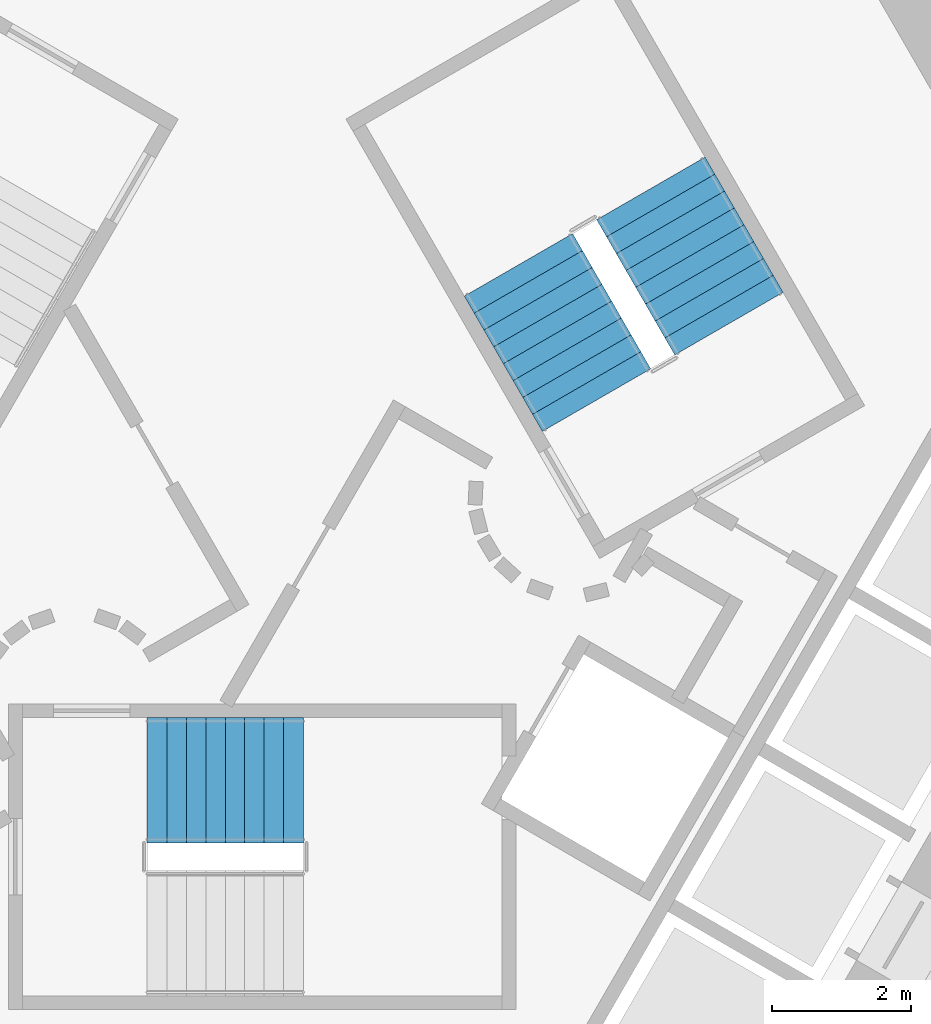
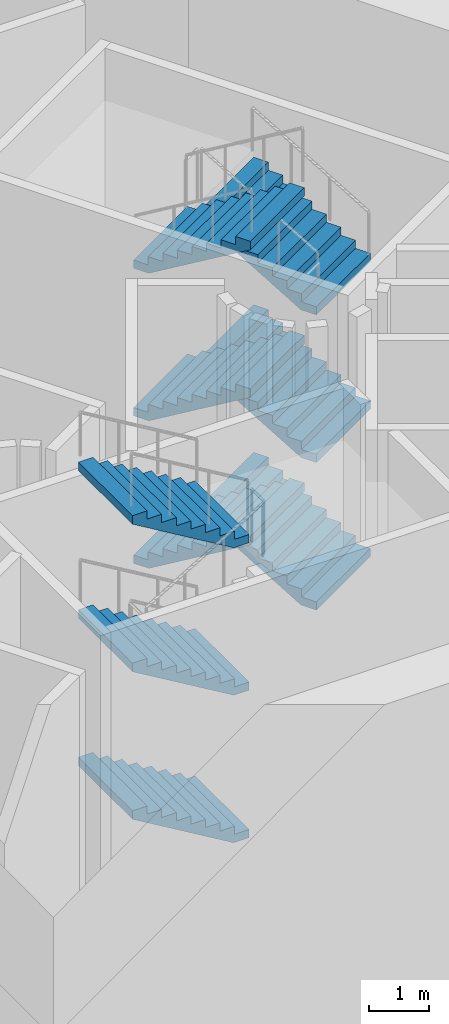
# One storey, part 23 of 36: 9 stair flights, 2 elements without a shape of their own.
"""IFC4 building model written with IfcOpenShell, lengths in metres."""

from ifc_helpers import new_model, si_unit, direction, frame, origin, place, context, subcontext, project, spatial, triangles, material, type_object, element, aggregate, save


model = new_model("IFC4")

# Units and contexts
model_context = context("Model", 3, precision=1e-05, world=origin(), true_north=direction((0.0, 1.0)))
body_context = subcontext(model_context, "Body", "Model", "MODEL_VIEW")
ifc_project = project(units=[si_unit("LENGTHUNIT", "METRE"), si_unit("AREAUNIT", "SQUARE_METRE"), si_unit("VOLUMEUNIT", "CUBIC_METRE"), si_unit("PLANEANGLEUNIT", "RADIAN"), si_unit("MASSUNIT", "GRAM", prefix="KILO")], contexts=[model_context])

# Site, building, storey
site_placement = place(None, origin())
site = spatial("IfcSite", under=ifc_project, at=site_placement, CompositionType="ELEMENT")
building_placement = place(site_placement, origin())
building = spatial("IfcBuilding", under=site, at=building_placement, Name="Entoto Arch Interchange Tower", CompositionType="ELEMENT")
storey_placement = place(building_placement, origin())
storey = spatial("IfcBuildingStorey", under=building, at=storey_placement, Name="L00", CompositionType="ELEMENT", Elevation=0.0)

# Stair, stair flights
ifc_material = material(Name="Concrete C40/50", Category="concrete")
stair_type = type_object("IfcStairType", Name="EXIT STAIR RC 1800", PredefinedType="HALF_TURN_STAIR", material=ifc_material)
stair_1_placement = place(storey_placement, origin())
stair_1 = element("IfcStair", 1, at=stair_1_placement, inside=storey, type_object=stair_type, Name="L00 Exit stair S", PredefinedType="HALF_TURN_STAIR")
stair_flight_type = type_object("IfcStairFlightType", Name="EXIT STAIR FLIGHT RC 1800", PredefinedType="STRAIGHT", material=ifc_material)
stair_flight_1_placement = place(storey_placement, frame((0.590087890625, -2.10009765625, 1.5), z_axis=(0.0, 0.0, 1.0), x_axis=(-1.0, 0.0, 0.0)))
stair_flight_1 = element("IfcStairFlight", 2, at=stair_flight_1_placement, type_object=stair_flight_type, Name="ST-S flight 2", NumberOfRisers=9, NumberOfTreads=8, PredefinedType="STRAIGHT", RiserHeight=0.166666667, TreadLength=0.28, context=body_context, shape_type="Tessellation", body=[
    triangles([(-0.003, -0.900024, 0.0), (-0.003, -0.900024, 0.166667), (0.28, -0.900024, 0.166667), (0.28, -0.900024, 0.333333), (0.56, -0.900024, 0.333333), (0.56, -0.900024, 0.5), (0.84, -0.900024, 0.5), (0.84, -0.900024, 0.666667), (1.12, -0.900024, 0.666667), (1.12, -0.900024, 0.833333), (1.4, -0.900024, 0.833333), (1.4, -0.900024, 1.0), (1.68, -0.900024, 1.0), (1.68, -0.900024, 1.166667), (1.96, -0.900024, 1.166667), (1.96, -0.900024, 1.333333), (2.24, -0.900024, 1.333333), (2.243, -0.900024, 1.333333), (2.243, -0.900024, 1.160671), (0.293073, -0.900024, 0.0), (-0.003, 0.900024, 0.0), (-0.003, 0.900024, 0.166667), (0.28, 0.900024, 0.166667), (0.28, 0.900024, 0.333333), (0.56, 0.900024, 0.333333), (0.56, 0.900024, 0.5), (0.84, 0.900024, 0.5), (0.84, 0.900024, 0.666667), (1.12, 0.900024, 0.666667), (1.12, 0.900024, 0.833333), (1.4, 0.900024, 0.833333), (1.4, 0.900024, 1.0), (1.68, 0.900024, 1.0), (1.68, 0.900024, 1.166667), (1.96, 0.900024, 1.166667), (1.96, 0.900024, 1.333333), (2.24, 0.900024, 1.333333), (2.243, 0.900024, 1.333333), (2.243, 0.900024, 1.160671), (0.293073, 0.900024, 0.0), (-0.003, 0.0, 0.0), (-0.003, 0.0, 0.166667), (0.28, 0.0, 0.166667), (0.28, 0.0, 0.333333), (0.56, 0.0, 0.333333), (0.56, 0.0, 0.5), (0.84, 0.0, 0.5), (0.84, 0.0, 0.666667), (1.12, 0.0, 0.666667), (1.12, 0.0, 0.833333), (1.4, 0.0, 0.833333), (1.4, 0.0, 1.0), (1.68, 0.0, 1.0), (1.68, 0.0, 1.166667), (1.96, 0.0, 1.166667), (1.96, 0.0, 1.333333), (2.24, 0.0, 1.333333), (2.243, 0.0, 1.333333), (2.243, 0.0, 1.160671), (0.293073, 0.0, 0.0)], [[1, 20, 19], [19, 18, 17], [19, 17, 16], [19, 16, 15], [19, 15, 14], [19, 14, 13], [13, 12, 11], [19, 13, 11], [11, 10, 9], [19, 11, 9], [9, 8, 7], [19, 9, 7], [7, 6, 5], [19, 7, 5], [5, 4, 3], [19, 5, 3], [1, 19, 3], [3, 2, 1], [21, 39, 40], [39, 37, 38], [39, 36, 37], [39, 35, 36], [39, 34, 35], [39, 33, 34], [33, 31, 32], [39, 31, 33], [31, 29, 30], [39, 29, 31], [29, 27, 28], [39, 27, 29], [27, 25, 26], [39, 25, 27], [25, 23, 24], [39, 23, 25], [21, 23, 39], [23, 21, 22], [1, 2, 42], [1, 42, 41], [41, 42, 22], [41, 22, 21], [2, 3, 43], [2, 43, 42], [42, 43, 23], [42, 23, 22], [3, 4, 44], [3, 44, 43], [43, 44, 24], [43, 24, 23], [4, 5, 45], [4, 45, 44], [44, 45, 25], [44, 25, 24], [5, 6, 46], [5, 46, 45], [45, 46, 26], [45, 26, 25], [6, 7, 47], [6, 47, 46], [46, 47, 27], [46, 27, 26], [7, 8, 48], [7, 48, 47], [47, 48, 28], [47, 28, 27], [8, 9, 49], [8, 49, 48], [48, 49, 29], [48, 29, 28], [9, 10, 50], [9, 50, 49], [49, 50, 30], [49, 30, 29], [10, 11, 51], [10, 51, 50], [50, 51, 31], [50, 31, 30], [11, 12, 52], [11, 52, 51], [51, 52, 32], [51, 32, 31], [12, 13, 53], [12, 53, 52], [52, 53, 33], [52, 33, 32], [13, 14, 54], [13, 54, 53], [53, 54, 34], [53, 34, 33], [14, 15, 55], [14, 55, 54], [54, 55, 35], [54, 35, 34], [15, 16, 56], [15, 56, 55], [55, 56, 36], [55, 36, 35], [16, 17, 57], [16, 57, 56], [56, 57, 37], [56, 37, 36], [17, 18, 58], [17, 58, 57], [57, 58, 38], [57, 38, 37], [18, 19, 59], [18, 59, 58], [58, 59, 39], [58, 39, 38], [19, 20, 60], [19, 60, 59], [59, 60, 40], [59, 40, 39], [20, 1, 41], [20, 41, 60], [60, 41, 21], [60, 21, 40]], closed=True),
])
stair_flight_2_placement = place(storey_placement, frame((0.590087890625, -2.10009765625, 4.5), z_axis=(0.0, 0.0, 1.0), x_axis=(-1.0, 0.0, 0.0)))
stair_flight_2 = element("IfcStairFlight", 3, at=stair_flight_2_placement, type_object=stair_flight_type, Name="ST-S flight 4", NumberOfRisers=9, NumberOfTreads=8, PredefinedType="STRAIGHT", RiserHeight=0.166666667, TreadLength=0.28, context=body_context, shape_type="Tessellation", body=[
    triangles([(-0.003, -0.900024, 0.0), (-0.003, -0.900024, 0.166667), (0.28, -0.900024, 0.166667), (0.28, -0.900024, 0.333333), (0.56, -0.900024, 0.333333), (0.56, -0.900024, 0.5), (0.84, -0.900024, 0.5), (0.84, -0.900024, 0.666667), (1.12, -0.900024, 0.666667), (1.12, -0.900024, 0.833333), (1.4, -0.900024, 0.833333), (1.4, -0.900024, 1.0), (1.68, -0.900024, 1.0), (1.68, -0.900024, 1.166667), (1.96, -0.900024, 1.166667), (1.96, -0.900024, 1.333333), (2.24, -0.900024, 1.333333), (2.243, -0.900024, 1.333333), (2.243, -0.900024, 1.160671), (0.293073, -0.900024, 0.0), (-0.003, 0.900024, 0.0), (-0.003, 0.900024, 0.166667), (0.28, 0.900024, 0.166667), (0.28, 0.900024, 0.333333), (0.56, 0.900024, 0.333333), (0.56, 0.900024, 0.5), (0.84, 0.900024, 0.5), (0.84, 0.900024, 0.666667), (1.12, 0.900024, 0.666667), (1.12, 0.900024, 0.833333), (1.4, 0.900024, 0.833333), (1.4, 0.900024, 1.0), (1.68, 0.900024, 1.0), (1.68, 0.900024, 1.166667), (1.96, 0.900024, 1.166667), (1.96, 0.900024, 1.333333), (2.24, 0.900024, 1.333333), (2.243, 0.900024, 1.333333), (2.243, 0.900024, 1.160671), (0.293073, 0.900024, 0.0), (-0.003, 0.0, 0.0), (-0.003, 0.0, 0.166667), (0.28, 0.0, 0.166667), (0.28, 0.0, 0.333333), (0.56, 0.0, 0.333333), (0.56, 0.0, 0.5), (0.84, 0.0, 0.5), (0.84, 0.0, 0.666667), (1.12, 0.0, 0.666667), (1.12, 0.0, 0.833333), (1.4, 0.0, 0.833333), (1.4, 0.0, 1.0), (1.68, 0.0, 1.0), (1.68, 0.0, 1.166667), (1.96, 0.0, 1.166667), (1.96, 0.0, 1.333333), (2.24, 0.0, 1.333333), (2.243, 0.0, 1.333333), (2.243, 0.0, 1.160671), (0.293073, 0.0, 0.0)], [[1, 20, 19], [19, 18, 17], [19, 17, 16], [19, 16, 15], [19, 15, 14], [19, 14, 13], [13, 12, 11], [19, 13, 11], [11, 10, 9], [19, 11, 9], [9, 8, 7], [19, 9, 7], [7, 6, 5], [19, 7, 5], [5, 4, 3], [19, 5, 3], [1, 19, 3], [3, 2, 1], [21, 39, 40], [39, 37, 38], [39, 36, 37], [39, 35, 36], [39, 34, 35], [39, 33, 34], [33, 31, 32], [39, 31, 33], [31, 29, 30], [39, 29, 31], [29, 27, 28], [39, 27, 29], [27, 25, 26], [39, 25, 27], [25, 23, 24], [39, 23, 25], [21, 23, 39], [23, 21, 22], [1, 2, 42], [1, 42, 41], [41, 42, 22], [41, 22, 21], [2, 3, 43], [2, 43, 42], [42, 43, 23], [42, 23, 22], [3, 4, 44], [3, 44, 43], [43, 44, 24], [43, 24, 23], [4, 5, 45], [4, 45, 44], [44, 45, 25], [44, 25, 24], [5, 6, 46], [5, 46, 45], [45, 46, 26], [45, 26, 25], [6, 7, 47], [6, 47, 46], [46, 47, 27], [46, 27, 26], [7, 8, 48], [7, 48, 47], [47, 48, 28], [47, 28, 27], [8, 9, 49], [8, 49, 48], [48, 49, 29], [48, 29, 28], [9, 10, 50], [9, 50, 49], [49, 50, 30], [49, 30, 29], [10, 11, 51], [10, 51, 50], [50, 51, 31], [50, 31, 30], [11, 12, 52], [11, 52, 51], [51, 52, 32], [51, 32, 31], [12, 13, 53], [12, 53, 52], [52, 53, 33], [52, 33, 32], [13, 14, 54], [13, 54, 53], [53, 54, 34], [53, 34, 33], [14, 15, 55], [14, 55, 54], [54, 55, 35], [54, 35, 34], [15, 16, 56], [15, 56, 55], [55, 56, 36], [55, 36, 35], [16, 17, 57], [16, 57, 56], [56, 57, 37], [56, 37, 36], [17, 18, 58], [17, 58, 57], [57, 58, 38], [57, 38, 37], [18, 19, 59], [18, 59, 58], [58, 59, 39], [58, 39, 38], [19, 20, 60], [19, 60, 59], [59, 60, 40], [59, 40, 39], [20, 1, 41], [20, 41, 60], [60, 41, 21], [60, 21, 40]], closed=True),
])
stair_flight_3_placement = place(storey_placement, frame((0.590087890625, -2.10009765625, 7.5), z_axis=(0.0, 0.0, 1.0), x_axis=(-1.0, 0.0, 0.0)))
stair_flight_3 = element("IfcStairFlight", 4, at=stair_flight_3_placement, type_object=stair_flight_type, Name="ST-S flight 6", NumberOfRisers=9, NumberOfTreads=8, PredefinedType="STRAIGHT", RiserHeight=0.166666667, TreadLength=0.28, context=body_context, shape_type="Tessellation", body=[
    triangles([(-0.003, -0.900024, 0.0), (-0.003, -0.900024, 0.166667), (0.28, -0.900024, 0.166667), (0.28, -0.900024, 0.333333), (0.56, -0.900024, 0.333333), (0.56, -0.900024, 0.5), (0.84, -0.900024, 0.5), (0.84, -0.900024, 0.666667), (1.12, -0.900024, 0.666667), (1.12, -0.900024, 0.833333), (1.4, -0.900024, 0.833333), (1.4, -0.900024, 1.0), (1.68, -0.900024, 1.0), (1.68, -0.900024, 1.166667), (1.96, -0.900024, 1.166667), (1.96, -0.900024, 1.333333), (2.24, -0.900024, 1.333333), (2.243, -0.900024, 1.333333), (2.243, -0.900024, 1.160671), (0.293073, -0.900024, 0.0), (-0.003, 0.900024, 0.0), (-0.003, 0.900024, 0.166667), (0.28, 0.900024, 0.166667), (0.28, 0.900024, 0.333333), (0.56, 0.900024, 0.333333), (0.56, 0.900024, 0.5), (0.84, 0.900024, 0.5), (0.84, 0.900024, 0.666667), (1.12, 0.900024, 0.666667), (1.12, 0.900024, 0.833333), (1.4, 0.900024, 0.833333), (1.4, 0.900024, 1.0), (1.68, 0.900024, 1.0), (1.68, 0.900024, 1.166667), (1.96, 0.900024, 1.166667), (1.96, 0.900024, 1.333333), (2.24, 0.900024, 1.333333), (2.243, 0.900024, 1.333333), (2.243, 0.900024, 1.160671), (0.293073, 0.900024, 0.0), (-0.003, 0.0, 0.0), (-0.003, 0.0, 0.166667), (0.28, 0.0, 0.166667), (0.28, 0.0, 0.333333), (0.56, 0.0, 0.333333), (0.56, 0.0, 0.5), (0.84, 0.0, 0.5), (0.84, 0.0, 0.666667), (1.12, 0.0, 0.666667), (1.12, 0.0, 0.833333), (1.4, 0.0, 0.833333), (1.4, 0.0, 1.0), (1.68, 0.0, 1.0), (1.68, 0.0, 1.166667), (1.96, 0.0, 1.166667), (1.96, 0.0, 1.333333), (2.24, 0.0, 1.333333), (2.243, 0.0, 1.333333), (2.243, 0.0, 1.160671), (0.293073, 0.0, 0.0)], [[1, 20, 19], [19, 18, 17], [19, 17, 16], [19, 16, 15], [19, 15, 14], [19, 14, 13], [13, 12, 11], [19, 13, 11], [11, 10, 9], [19, 11, 9], [9, 8, 7], [19, 9, 7], [7, 6, 5], [19, 7, 5], [5, 4, 3], [19, 5, 3], [1, 19, 3], [3, 2, 1], [21, 39, 40], [39, 37, 38], [39, 36, 37], [39, 35, 36], [39, 34, 35], [39, 33, 34], [33, 31, 32], [39, 31, 33], [31, 29, 30], [39, 29, 31], [29, 27, 28], [39, 27, 29], [27, 25, 26], [39, 25, 27], [25, 23, 24], [39, 23, 25], [21, 23, 39], [23, 21, 22], [1, 2, 42], [1, 42, 41], [41, 42, 22], [41, 22, 21], [2, 3, 43], [2, 43, 42], [42, 43, 23], [42, 23, 22], [3, 4, 44], [3, 44, 43], [43, 44, 24], [43, 24, 23], [4, 5, 45], [4, 45, 44], [44, 45, 25], [44, 25, 24], [5, 6, 46], [5, 46, 45], [45, 46, 26], [45, 26, 25], [6, 7, 47], [6, 47, 46], [46, 47, 27], [46, 27, 26], [7, 8, 48], [7, 48, 47], [47, 48, 28], [47, 28, 27], [8, 9, 49], [8, 49, 48], [48, 49, 29], [48, 29, 28], [9, 10, 50], [9, 50, 49], [49, 50, 30], [49, 30, 29], [10, 11, 51], [10, 51, 50], [50, 51, 31], [50, 31, 30], [11, 12, 52], [11, 52, 51], [51, 52, 32], [51, 32, 31], [12, 13, 53], [12, 53, 52], [52, 53, 33], [52, 33, 32], [13, 14, 54], [13, 54, 53], [53, 54, 34], [53, 34, 33], [14, 15, 55], [14, 55, 54], [54, 55, 35], [54, 35, 34], [15, 16, 56], [15, 56, 55], [55, 56, 36], [55, 36, 35], [16, 17, 57], [16, 57, 56], [56, 57, 37], [56, 37, 36], [17, 18, 58], [17, 58, 57], [57, 58, 38], [57, 38, 37], [18, 19, 59], [18, 59, 58], [58, 59, 39], [58, 39, 38], [19, 20, 60], [19, 60, 59], [59, 60, 40], [59, 40, 39], [20, 1, 41], [20, 41, 60], [60, 41, 21], [60, 21, 40]], closed=True),
])
aggregate(stair_1, [stair_flight_1, stair_flight_2, stair_flight_3])

stair_2_placement = place(storey_placement, origin())
stair_2 = element("IfcStair", 5, at=stair_2_placement, inside=storey, type_object=stair_type, Name="L00 Exit stair NE", PredefinedType="HALF_TURN_STAIR")
stair_flight_4_placement = place(storey_placement, frame((6.7138671875, 4.470947265625, 0.0), z_axis=(0.0, 0.0, 1.0), x_axis=(-0.5, 0.866025403784, 0.0)))
stair_flight_4 = element("IfcStairFlight", 6, at=stair_flight_4_placement, type_object=stair_flight_type, Name="ST-NE flight 1", NumberOfRisers=9, NumberOfTreads=8, PredefinedType="STRAIGHT", RiserHeight=0.166666667, TreadLength=0.28, context=body_context, shape_type="Tessellation", body=[
    triangles([(-0.003, -0.900024, 0.0), (-0.003, -0.900024, 0.166667), (0.28, -0.900024, 0.166667), (0.28, -0.900024, 0.333333), (0.56, -0.900024, 0.333333), (0.56, -0.900024, 0.5), (0.84, -0.900024, 0.5), (0.84, -0.900024, 0.666667), (1.12, -0.900024, 0.666667), (1.12, -0.900024, 0.833333), (1.4, -0.900024, 0.833333), (1.4, -0.900024, 1.0), (1.68, -0.900024, 1.0), (1.68, -0.900024, 1.166667), (1.96, -0.900024, 1.166667), (1.96, -0.900024, 1.333333), (2.24, -0.900024, 1.333333), (2.243, -0.900024, 1.333333), (2.243, -0.900024, 1.160671), (0.293073, -0.900024, 0.0), (-0.003, 0.900024, 0.0), (-0.003, 0.900024, 0.166667), (0.28, 0.900024, 0.166667), (0.28, 0.900024, 0.333333), (0.56, 0.900024, 0.333333), (0.56, 0.900024, 0.5), (0.84, 0.900024, 0.5), (0.84, 0.900024, 0.666667), (1.12, 0.900024, 0.666667), (1.12, 0.900024, 0.833333), (1.4, 0.900024, 0.833333), (1.4, 0.900024, 1.0), (1.68, 0.900024, 1.0), (1.68, 0.900024, 1.166667), (1.96, 0.900024, 1.166667), (1.96, 0.900024, 1.333333), (2.24, 0.900024, 1.333333), (2.243, 0.900024, 1.333333), (2.243, 0.900024, 1.160671), (0.293073, 0.900024, 0.0), (-0.003, 0.0, 0.0), (-0.003, 0.0, 0.166667), (0.28, 0.0, 0.166667), (0.28, 0.0, 0.333333), (0.56, 0.0, 0.333333), (0.56, 0.0, 0.5), (0.84, 0.0, 0.5), (0.84, 0.0, 0.666667), (1.12, 0.0, 0.666667), (1.12, 0.0, 0.833333), (1.4, 0.0, 0.833333), (1.4, 0.0, 1.0), (1.68, 0.0, 1.0), (1.68, 0.0, 1.166667), (1.96, 0.0, 1.166667), (1.96, 0.0, 1.333333), (2.24, 0.0, 1.333333), (2.243, 0.0, 1.333333), (2.243, 0.0, 1.160671), (0.293073, 0.0, 0.0)], [[1, 20, 19], [19, 18, 17], [19, 17, 16], [19, 16, 15], [19, 15, 14], [19, 14, 13], [13, 12, 11], [19, 13, 11], [11, 10, 9], [19, 11, 9], [9, 8, 7], [19, 9, 7], [7, 6, 5], [19, 7, 5], [5, 4, 3], [19, 5, 3], [1, 19, 3], [3, 2, 1], [21, 39, 40], [39, 37, 38], [39, 36, 37], [39, 35, 36], [39, 34, 35], [39, 33, 34], [33, 31, 32], [39, 31, 33], [31, 29, 30], [39, 29, 31], [29, 27, 28], [39, 27, 29], [27, 25, 26], [39, 25, 27], [25, 23, 24], [39, 23, 25], [21, 23, 39], [23, 21, 22], [1, 2, 42], [1, 42, 41], [41, 42, 22], [41, 22, 21], [2, 3, 43], [2, 43, 42], [42, 43, 23], [42, 23, 22], [3, 4, 44], [3, 44, 43], [43, 44, 24], [43, 24, 23], [4, 5, 45], [4, 45, 44], [44, 45, 25], [44, 25, 24], [5, 6, 46], [5, 46, 45], [45, 46, 26], [45, 26, 25], [6, 7, 47], [6, 47, 46], [46, 47, 27], [46, 27, 26], [7, 8, 48], [7, 48, 47], [47, 48, 28], [47, 28, 27], [8, 9, 49], [8, 49, 48], [48, 49, 29], [48, 29, 28], [9, 10, 50], [9, 50, 49], [49, 50, 30], [49, 30, 29], [10, 11, 51], [10, 51, 50], [50, 51, 31], [50, 31, 30], [11, 12, 52], [11, 52, 51], [51, 52, 32], [51, 32, 31], [12, 13, 53], [12, 53, 52], [52, 53, 33], [52, 33, 32], [13, 14, 54], [13, 54, 53], [53, 54, 34], [53, 34, 33], [14, 15, 55], [14, 55, 54], [54, 55, 35], [54, 35, 34], [15, 16, 56], [15, 56, 55], [55, 56, 36], [55, 36, 35], [16, 17, 57], [16, 57, 56], [56, 57, 37], [56, 37, 36], [17, 18, 58], [17, 58, 57], [57, 58, 38], [57, 38, 37], [18, 19, 59], [18, 59, 58], [58, 59, 39], [58, 39, 38], [19, 20, 60], [19, 60, 59], [59, 60, 40], [59, 40, 39], [20, 1, 41], [20, 41, 60], [60, 41, 21], [60, 21, 40]], closed=True),
])
stair_flight_5_placement = place(storey_placement, frame((3.688720703125, 5.31103515625, 1.5), z_axis=(0.0, 0.0, 1.0), x_axis=(0.5, -0.866025403784, 0.0)))
stair_flight_5 = element("IfcStairFlight", 7, at=stair_flight_5_placement, type_object=stair_flight_type, Name="ST-NE flight 2", NumberOfRisers=9, NumberOfTreads=8, PredefinedType="STRAIGHT", RiserHeight=0.166666667, TreadLength=0.28, context=body_context, shape_type="Tessellation", body=[
    triangles([(-0.003, -0.900024, 0.0), (-0.003, -0.900024, 0.166667), (0.28, -0.900024, 0.166667), (0.28, -0.900024, 0.333333), (0.56, -0.900024, 0.333333), (0.56, -0.900024, 0.5), (0.84, -0.900024, 0.5), (0.84, -0.900024, 0.666667), (1.12, -0.900024, 0.666667), (1.12, -0.900024, 0.833333), (1.4, -0.900024, 0.833333), (1.4, -0.900024, 1.0), (1.68, -0.900024, 1.0), (1.68, -0.900024, 1.166667), (1.96, -0.900024, 1.166667), (1.96, -0.900024, 1.333333), (2.24, -0.900024, 1.333333), (2.243, -0.900024, 1.333333), (2.243, -0.900024, 1.160671), (0.293073, -0.900024, 0.0), (-0.003, 0.900024, 0.0), (-0.003, 0.900024, 0.166667), (0.28, 0.900024, 0.166667), (0.28, 0.900024, 0.333333), (0.56, 0.900024, 0.333333), (0.56, 0.900024, 0.5), (0.84, 0.900024, 0.5), (0.84, 0.900024, 0.666667), (1.12, 0.900024, 0.666667), (1.12, 0.900024, 0.833333), (1.4, 0.900024, 0.833333), (1.4, 0.900024, 1.0), (1.68, 0.900024, 1.0), (1.68, 0.900024, 1.166667), (1.96, 0.900024, 1.166667), (1.96, 0.900024, 1.333333), (2.24, 0.900024, 1.333333), (2.243, 0.900024, 1.333333), (2.243, 0.900024, 1.160671), (0.293073, 0.900024, 0.0), (-0.003, 0.0, 0.0), (-0.003, 0.0, 0.166667), (0.28, 0.0, 0.166667), (0.28, 0.0, 0.333333), (0.56, 0.0, 0.333333), (0.56, 0.0, 0.5), (0.84, 0.0, 0.5), (0.84, 0.0, 0.666667), (1.12, 0.0, 0.666667), (1.12, 0.0, 0.833333), (1.4, 0.0, 0.833333), (1.4, 0.0, 1.0), (1.68, 0.0, 1.0), (1.68, 0.0, 1.166667), (1.96, 0.0, 1.166667), (1.96, 0.0, 1.333333), (2.24, 0.0, 1.333333), (2.243, 0.0, 1.333333), (2.243, 0.0, 1.160671), (0.293073, 0.0, 0.0)], [[1, 20, 19], [19, 18, 17], [19, 17, 16], [19, 16, 15], [19, 15, 14], [19, 14, 13], [13, 12, 11], [19, 13, 11], [11, 10, 9], [19, 11, 9], [9, 8, 7], [19, 9, 7], [7, 6, 5], [19, 7, 5], [5, 4, 3], [19, 5, 3], [1, 19, 3], [3, 2, 1], [21, 39, 40], [39, 37, 38], [39, 36, 37], [39, 35, 36], [39, 34, 35], [39, 33, 34], [33, 31, 32], [39, 31, 33], [31, 29, 30], [39, 29, 31], [29, 27, 28], [39, 27, 29], [27, 25, 26], [39, 25, 27], [25, 23, 24], [39, 23, 25], [21, 23, 39], [23, 21, 22], [1, 2, 42], [1, 42, 41], [41, 42, 22], [41, 22, 21], [2, 3, 43], [2, 43, 42], [42, 43, 23], [42, 23, 22], [3, 4, 44], [3, 44, 43], [43, 44, 24], [43, 24, 23], [4, 5, 45], [4, 45, 44], [44, 45, 25], [44, 25, 24], [5, 6, 46], [5, 46, 45], [45, 46, 26], [45, 26, 25], [6, 7, 47], [6, 47, 46], [46, 47, 27], [46, 27, 26], [7, 8, 48], [7, 48, 47], [47, 48, 28], [47, 28, 27], [8, 9, 49], [8, 49, 48], [48, 49, 29], [48, 29, 28], [9, 10, 50], [9, 50, 49], [49, 50, 30], [49, 30, 29], [10, 11, 51], [10, 51, 50], [50, 51, 31], [50, 31, 30], [11, 12, 52], [11, 52, 51], [51, 52, 32], [51, 32, 31], [12, 13, 53], [12, 53, 52], [52, 53, 33], [52, 33, 32], [13, 14, 54], [13, 54, 53], [53, 54, 34], [53, 34, 33], [14, 15, 55], [14, 55, 54], [54, 55, 35], [54, 35, 34], [15, 16, 56], [15, 56, 55], [55, 56, 36], [55, 36, 35], [16, 17, 57], [16, 57, 56], [56, 57, 37], [56, 37, 36], [17, 18, 58], [17, 58, 57], [57, 58, 38], [57, 38, 37], [18, 19, 59], [18, 59, 58], [58, 59, 39], [58, 39, 38], [19, 20, 60], [19, 60, 59], [59, 60, 40], [59, 40, 39], [20, 1, 41], [20, 41, 60], [60, 41, 21], [60, 21, 40]], closed=True),
])
stair_flight_6_placement = place(storey_placement, frame((6.7138671875, 4.470947265625, 3.0), z_axis=(0.0, 0.0, 1.0), x_axis=(-0.5, 0.866025403784, 0.0)))
stair_flight_6 = element("IfcStairFlight", 8, at=stair_flight_6_placement, type_object=stair_flight_type, Name="ST-NE flight 3", NumberOfRisers=9, NumberOfTreads=8, PredefinedType="STRAIGHT", RiserHeight=0.166666667, TreadLength=0.28, context=body_context, shape_type="Tessellation", body=[
    triangles([(-0.003, -0.900024, 0.0), (-0.003, -0.900024, 0.166667), (0.28, -0.900024, 0.166667), (0.28, -0.900024, 0.333333), (0.56, -0.900024, 0.333333), (0.56, -0.900024, 0.5), (0.84, -0.900024, 0.5), (0.84, -0.900024, 0.666667), (1.12, -0.900024, 0.666667), (1.12, -0.900024, 0.833333), (1.4, -0.900024, 0.833333), (1.4, -0.900024, 1.0), (1.68, -0.900024, 1.0), (1.68, -0.900024, 1.166667), (1.96, -0.900024, 1.166667), (1.96, -0.900024, 1.333333), (2.24, -0.900024, 1.333333), (2.243, -0.900024, 1.333333), (2.243, -0.900024, 1.160671), (0.293073, -0.900024, 0.0), (-0.003, 0.900024, 0.0), (-0.003, 0.900024, 0.166667), (0.28, 0.900024, 0.166667), (0.28, 0.900024, 0.333333), (0.56, 0.900024, 0.333333), (0.56, 0.900024, 0.5), (0.84, 0.900024, 0.5), (0.84, 0.900024, 0.666667), (1.12, 0.900024, 0.666667), (1.12, 0.900024, 0.833333), (1.4, 0.900024, 0.833333), (1.4, 0.900024, 1.0), (1.68, 0.900024, 1.0), (1.68, 0.900024, 1.166667), (1.96, 0.900024, 1.166667), (1.96, 0.900024, 1.333333), (2.24, 0.900024, 1.333333), (2.243, 0.900024, 1.333333), (2.243, 0.900024, 1.160671), (0.293073, 0.900024, 0.0), (-0.003, 0.0, 0.0), (-0.003, 0.0, 0.166667), (0.28, 0.0, 0.166667), (0.28, 0.0, 0.333333), (0.56, 0.0, 0.333333), (0.56, 0.0, 0.5), (0.84, 0.0, 0.5), (0.84, 0.0, 0.666667), (1.12, 0.0, 0.666667), (1.12, 0.0, 0.833333), (1.4, 0.0, 0.833333), (1.4, 0.0, 1.0), (1.68, 0.0, 1.0), (1.68, 0.0, 1.166667), (1.96, 0.0, 1.166667), (1.96, 0.0, 1.333333), (2.24, 0.0, 1.333333), (2.243, 0.0, 1.333333), (2.243, 0.0, 1.160671), (0.293073, 0.0, 0.0)], [[1, 20, 19], [19, 18, 17], [19, 17, 16], [19, 16, 15], [19, 15, 14], [19, 14, 13], [13, 12, 11], [19, 13, 11], [11, 10, 9], [19, 11, 9], [9, 8, 7], [19, 9, 7], [7, 6, 5], [19, 7, 5], [5, 4, 3], [19, 5, 3], [1, 19, 3], [3, 2, 1], [21, 39, 40], [39, 37, 38], [39, 36, 37], [39, 35, 36], [39, 34, 35], [39, 33, 34], [33, 31, 32], [39, 31, 33], [31, 29, 30], [39, 29, 31], [29, 27, 28], [39, 27, 29], [27, 25, 26], [39, 25, 27], [25, 23, 24], [39, 23, 25], [21, 23, 39], [23, 21, 22], [1, 2, 42], [1, 42, 41], [41, 42, 22], [41, 22, 21], [2, 3, 43], [2, 43, 42], [42, 43, 23], [42, 23, 22], [3, 4, 44], [3, 44, 43], [43, 44, 24], [43, 24, 23], [4, 5, 45], [4, 45, 44], [44, 45, 25], [44, 25, 24], [5, 6, 46], [5, 46, 45], [45, 46, 26], [45, 26, 25], [6, 7, 47], [6, 47, 46], [46, 47, 27], [46, 27, 26], [7, 8, 48], [7, 48, 47], [47, 48, 28], [47, 28, 27], [8, 9, 49], [8, 49, 48], [48, 49, 29], [48, 29, 28], [9, 10, 50], [9, 50, 49], [49, 50, 30], [49, 30, 29], [10, 11, 51], [10, 51, 50], [50, 51, 31], [50, 31, 30], [11, 12, 52], [11, 52, 51], [51, 52, 32], [51, 32, 31], [12, 13, 53], [12, 53, 52], [52, 53, 33], [52, 33, 32], [13, 14, 54], [13, 54, 53], [53, 54, 34], [53, 34, 33], [14, 15, 55], [14, 55, 54], [54, 55, 35], [54, 35, 34], [15, 16, 56], [15, 56, 55], [55, 56, 36], [55, 36, 35], [16, 17, 57], [16, 57, 56], [56, 57, 37], [56, 37, 36], [17, 18, 58], [17, 58, 57], [57, 58, 38], [57, 38, 37], [18, 19, 59], [18, 59, 58], [58, 59, 39], [58, 39, 38], [19, 20, 60], [19, 60, 59], [59, 60, 40], [59, 40, 39], [20, 1, 41], [20, 41, 60], [60, 41, 21], [60, 21, 40]], closed=True),
])
stair_flight_7_placement = place(storey_placement, frame((3.688720703125, 5.31103515625, 4.5), z_axis=(0.0, 0.0, 1.0), x_axis=(0.5, -0.866025403784, 0.0)))
stair_flight_7 = element("IfcStairFlight", 9, at=stair_flight_7_placement, type_object=stair_flight_type, Name="ST-NE flight 4", NumberOfRisers=9, NumberOfTreads=8, PredefinedType="STRAIGHT", RiserHeight=0.166666667, TreadLength=0.28, context=body_context, shape_type="Tessellation", body=[
    triangles([(-0.003, -0.900024, 0.0), (-0.003, -0.900024, 0.166667), (0.28, -0.900024, 0.166667), (0.28, -0.900024, 0.333333), (0.56, -0.900024, 0.333333), (0.56, -0.900024, 0.5), (0.84, -0.900024, 0.5), (0.84, -0.900024, 0.666667), (1.12, -0.900024, 0.666667), (1.12, -0.900024, 0.833333), (1.4, -0.900024, 0.833333), (1.4, -0.900024, 1.0), (1.68, -0.900024, 1.0), (1.68, -0.900024, 1.166667), (1.96, -0.900024, 1.166667), (1.96, -0.900024, 1.333333), (2.24, -0.900024, 1.333333), (2.243, -0.900024, 1.333333), (2.243, -0.900024, 1.160671), (0.293073, -0.900024, 0.0), (-0.003, 0.900024, 0.0), (-0.003, 0.900024, 0.166667), (0.28, 0.900024, 0.166667), (0.28, 0.900024, 0.333333), (0.56, 0.900024, 0.333333), (0.56, 0.900024, 0.5), (0.84, 0.900024, 0.5), (0.84, 0.900024, 0.666667), (1.12, 0.900024, 0.666667), (1.12, 0.900024, 0.833333), (1.4, 0.900024, 0.833333), (1.4, 0.900024, 1.0), (1.68, 0.900024, 1.0), (1.68, 0.900024, 1.166667), (1.96, 0.900024, 1.166667), (1.96, 0.900024, 1.333333), (2.24, 0.900024, 1.333333), (2.243, 0.900024, 1.333333), (2.243, 0.900024, 1.160671), (0.293073, 0.900024, 0.0), (-0.003, 0.0, 0.0), (-0.003, 0.0, 0.166667), (0.28, 0.0, 0.166667), (0.28, 0.0, 0.333333), (0.56, 0.0, 0.333333), (0.56, 0.0, 0.5), (0.84, 0.0, 0.5), (0.84, 0.0, 0.666667), (1.12, 0.0, 0.666667), (1.12, 0.0, 0.833333), (1.4, 0.0, 0.833333), (1.4, 0.0, 1.0), (1.68, 0.0, 1.0), (1.68, 0.0, 1.166667), (1.96, 0.0, 1.166667), (1.96, 0.0, 1.333333), (2.24, 0.0, 1.333333), (2.243, 0.0, 1.333333), (2.243, 0.0, 1.160671), (0.293073, 0.0, 0.0)], [[1, 20, 19], [19, 18, 17], [19, 17, 16], [19, 16, 15], [19, 15, 14], [19, 14, 13], [13, 12, 11], [19, 13, 11], [11, 10, 9], [19, 11, 9], [9, 8, 7], [19, 9, 7], [7, 6, 5], [19, 7, 5], [5, 4, 3], [19, 5, 3], [1, 19, 3], [3, 2, 1], [21, 39, 40], [39, 37, 38], [39, 36, 37], [39, 35, 36], [39, 34, 35], [39, 33, 34], [33, 31, 32], [39, 31, 33], [31, 29, 30], [39, 29, 31], [29, 27, 28], [39, 27, 29], [27, 25, 26], [39, 25, 27], [25, 23, 24], [39, 23, 25], [21, 23, 39], [23, 21, 22], [1, 2, 42], [1, 42, 41], [41, 42, 22], [41, 22, 21], [2, 3, 43], [2, 43, 42], [42, 43, 23], [42, 23, 22], [3, 4, 44], [3, 44, 43], [43, 44, 24], [43, 24, 23], [4, 5, 45], [4, 45, 44], [44, 45, 25], [44, 25, 24], [5, 6, 46], [5, 46, 45], [45, 46, 26], [45, 26, 25], [6, 7, 47], [6, 47, 46], [46, 47, 27], [46, 27, 26], [7, 8, 48], [7, 48, 47], [47, 48, 28], [47, 28, 27], [8, 9, 49], [8, 49, 48], [48, 49, 29], [48, 29, 28], [9, 10, 50], [9, 50, 49], [49, 50, 30], [49, 30, 29], [10, 11, 51], [10, 51, 50], [50, 51, 31], [50, 31, 30], [11, 12, 52], [11, 52, 51], [51, 52, 32], [51, 32, 31], [12, 13, 53], [12, 53, 52], [52, 53, 33], [52, 33, 32], [13, 14, 54], [13, 54, 53], [53, 54, 34], [53, 34, 33], [14, 15, 55], [14, 55, 54], [54, 55, 35], [54, 35, 34], [15, 16, 56], [15, 56, 55], [55, 56, 36], [55, 36, 35], [16, 17, 57], [16, 57, 56], [56, 57, 37], [56, 37, 36], [17, 18, 58], [17, 58, 57], [57, 58, 38], [57, 38, 37], [18, 19, 59], [18, 59, 58], [58, 59, 39], [58, 39, 38], [19, 20, 60], [19, 60, 59], [59, 60, 40], [59, 40, 39], [20, 1, 41], [20, 41, 60], [60, 41, 21], [60, 21, 40]], closed=True),
])
stair_flight_8_placement = place(storey_placement, frame((6.7138671875, 4.470947265625, 6.0), z_axis=(0.0, 0.0, 1.0), x_axis=(-0.5, 0.866025403784, 0.0)))
stair_flight_8 = element("IfcStairFlight", 10, at=stair_flight_8_placement, type_object=stair_flight_type, Name="ST-NE flight 5", NumberOfRisers=9, NumberOfTreads=8, PredefinedType="STRAIGHT", RiserHeight=0.166666667, TreadLength=0.28, context=body_context, shape_type="Tessellation", body=[
    triangles([(-0.003, -0.900024, 0.0), (-0.003, -0.900024, 0.166667), (0.28, -0.900024, 0.166667), (0.28, -0.900024, 0.333333), (0.56, -0.900024, 0.333333), (0.56, -0.900024, 0.5), (0.84, -0.900024, 0.5), (0.84, -0.900024, 0.666667), (1.12, -0.900024, 0.666667), (1.12, -0.900024, 0.833333), (1.4, -0.900024, 0.833333), (1.4, -0.900024, 1.0), (1.68, -0.900024, 1.0), (1.68, -0.900024, 1.166667), (1.96, -0.900024, 1.166667), (1.96, -0.900024, 1.333333), (2.24, -0.900024, 1.333333), (2.243, -0.900024, 1.333333), (2.243, -0.900024, 1.160671), (0.293073, -0.900024, 0.0), (-0.003, 0.900024, 0.0), (-0.003, 0.900024, 0.166667), (0.28, 0.900024, 0.166667), (0.28, 0.900024, 0.333333), (0.56, 0.900024, 0.333333), (0.56, 0.900024, 0.5), (0.84, 0.900024, 0.5), (0.84, 0.900024, 0.666667), (1.12, 0.900024, 0.666667), (1.12, 0.900024, 0.833333), (1.4, 0.900024, 0.833333), (1.4, 0.900024, 1.0), (1.68, 0.900024, 1.0), (1.68, 0.900024, 1.166667), (1.96, 0.900024, 1.166667), (1.96, 0.900024, 1.333333), (2.24, 0.900024, 1.333333), (2.243, 0.900024, 1.333333), (2.243, 0.900024, 1.160671), (0.293073, 0.900024, 0.0), (-0.003, 0.0, 0.0), (-0.003, 0.0, 0.166667), (0.28, 0.0, 0.166667), (0.28, 0.0, 0.333333), (0.56, 0.0, 0.333333), (0.56, 0.0, 0.5), (0.84, 0.0, 0.5), (0.84, 0.0, 0.666667), (1.12, 0.0, 0.666667), (1.12, 0.0, 0.833333), (1.4, 0.0, 0.833333), (1.4, 0.0, 1.0), (1.68, 0.0, 1.0), (1.68, 0.0, 1.166667), (1.96, 0.0, 1.166667), (1.96, 0.0, 1.333333), (2.24, 0.0, 1.333333), (2.243, 0.0, 1.333333), (2.243, 0.0, 1.160671), (0.293073, 0.0, 0.0)], [[1, 20, 19], [19, 18, 17], [19, 17, 16], [19, 16, 15], [19, 15, 14], [19, 14, 13], [13, 12, 11], [19, 13, 11], [11, 10, 9], [19, 11, 9], [9, 8, 7], [19, 9, 7], [7, 6, 5], [19, 7, 5], [5, 4, 3], [19, 5, 3], [1, 19, 3], [3, 2, 1], [21, 39, 40], [39, 37, 38], [39, 36, 37], [39, 35, 36], [39, 34, 35], [39, 33, 34], [33, 31, 32], [39, 31, 33], [31, 29, 30], [39, 29, 31], [29, 27, 28], [39, 27, 29], [27, 25, 26], [39, 25, 27], [25, 23, 24], [39, 23, 25], [21, 23, 39], [23, 21, 22], [1, 2, 42], [1, 42, 41], [41, 42, 22], [41, 22, 21], [2, 3, 43], [2, 43, 42], [42, 43, 23], [42, 23, 22], [3, 4, 44], [3, 44, 43], [43, 44, 24], [43, 24, 23], [4, 5, 45], [4, 45, 44], [44, 45, 25], [44, 25, 24], [5, 6, 46], [5, 46, 45], [45, 46, 26], [45, 26, 25], [6, 7, 47], [6, 47, 46], [46, 47, 27], [46, 27, 26], [7, 8, 48], [7, 48, 47], [47, 48, 28], [47, 28, 27], [8, 9, 49], [8, 49, 48], [48, 49, 29], [48, 29, 28], [9, 10, 50], [9, 50, 49], [49, 50, 30], [49, 30, 29], [10, 11, 51], [10, 51, 50], [50, 51, 31], [50, 31, 30], [11, 12, 52], [11, 52, 51], [51, 52, 32], [51, 32, 31], [12, 13, 53], [12, 53, 52], [52, 53, 33], [52, 33, 32], [13, 14, 54], [13, 54, 53], [53, 54, 34], [53, 34, 33], [14, 15, 55], [14, 55, 54], [54, 55, 35], [54, 35, 34], [15, 16, 56], [15, 56, 55], [55, 56, 36], [55, 36, 35], [16, 17, 57], [16, 57, 56], [56, 57, 37], [56, 37, 36], [17, 18, 58], [17, 58, 57], [57, 58, 38], [57, 38, 37], [18, 19, 59], [18, 59, 58], [58, 59, 39], [58, 39, 38], [19, 20, 60], [19, 60, 59], [59, 60, 40], [59, 40, 39], [20, 1, 41], [20, 41, 60], [60, 41, 21], [60, 21, 40]], closed=True),
])
stair_flight_9_placement = place(storey_placement, frame((3.688720703125, 5.31103515625, 7.5), z_axis=(0.0, 0.0, 1.0), x_axis=(0.5, -0.866025403784, 0.0)))
stair_flight_9 = element("IfcStairFlight", 11, at=stair_flight_9_placement, type_object=stair_flight_type, Name="ST-NE flight 6", NumberOfRisers=9, NumberOfTreads=8, PredefinedType="STRAIGHT", RiserHeight=0.166666667, TreadLength=0.28, context=body_context, shape_type="Tessellation", body=[
    triangles([(-0.003, -0.900024, 0.0), (-0.003, -0.900024, 0.166667), (0.28, -0.900024, 0.166667), (0.28, -0.900024, 0.333333), (0.56, -0.900024, 0.333333), (0.56, -0.900024, 0.5), (0.84, -0.900024, 0.5), (0.84, -0.900024, 0.666667), (1.12, -0.900024, 0.666667), (1.12, -0.900024, 0.833333), (1.4, -0.900024, 0.833333), (1.4, -0.900024, 1.0), (1.68, -0.900024, 1.0), (1.68, -0.900024, 1.166667), (1.96, -0.900024, 1.166667), (1.96, -0.900024, 1.333333), (2.24, -0.900024, 1.333333), (2.243, -0.900024, 1.333333), (2.243, -0.900024, 1.160671), (0.293073, -0.900024, 0.0), (-0.003, 0.900024, 0.0), (-0.003, 0.900024, 0.166667), (0.28, 0.900024, 0.166667), (0.28, 0.900024, 0.333333), (0.56, 0.900024, 0.333333), (0.56, 0.900024, 0.5), (0.84, 0.900024, 0.5), (0.84, 0.900024, 0.666667), (1.12, 0.900024, 0.666667), (1.12, 0.900024, 0.833333), (1.4, 0.900024, 0.833333), (1.4, 0.900024, 1.0), (1.68, 0.900024, 1.0), (1.68, 0.900024, 1.166667), (1.96, 0.900024, 1.166667), (1.96, 0.900024, 1.333333), (2.24, 0.900024, 1.333333), (2.243, 0.900024, 1.333333), (2.243, 0.900024, 1.160671), (0.293073, 0.900024, 0.0), (-0.003, 0.0, 0.0), (-0.003, 0.0, 0.166667), (0.28, 0.0, 0.166667), (0.28, 0.0, 0.333333), (0.56, 0.0, 0.333333), (0.56, 0.0, 0.5), (0.84, 0.0, 0.5), (0.84, 0.0, 0.666667), (1.12, 0.0, 0.666667), (1.12, 0.0, 0.833333), (1.4, 0.0, 0.833333), (1.4, 0.0, 1.0), (1.68, 0.0, 1.0), (1.68, 0.0, 1.166667), (1.96, 0.0, 1.166667), (1.96, 0.0, 1.333333), (2.24, 0.0, 1.333333), (2.243, 0.0, 1.333333), (2.243, 0.0, 1.160671), (0.293073, 0.0, 0.0)], [[1, 20, 19], [19, 18, 17], [19, 17, 16], [19, 16, 15], [19, 15, 14], [19, 14, 13], [13, 12, 11], [19, 13, 11], [11, 10, 9], [19, 11, 9], [9, 8, 7], [19, 9, 7], [7, 6, 5], [19, 7, 5], [5, 4, 3], [19, 5, 3], [1, 19, 3], [3, 2, 1], [21, 39, 40], [39, 37, 38], [39, 36, 37], [39, 35, 36], [39, 34, 35], [39, 33, 34], [33, 31, 32], [39, 31, 33], [31, 29, 30], [39, 29, 31], [29, 27, 28], [39, 27, 29], [27, 25, 26], [39, 25, 27], [25, 23, 24], [39, 23, 25], [21, 23, 39], [23, 21, 22], [1, 2, 42], [1, 42, 41], [41, 42, 22], [41, 22, 21], [2, 3, 43], [2, 43, 42], [42, 43, 23], [42, 23, 22], [3, 4, 44], [3, 44, 43], [43, 44, 24], [43, 24, 23], [4, 5, 45], [4, 45, 44], [44, 45, 25], [44, 25, 24], [5, 6, 46], [5, 46, 45], [45, 46, 26], [45, 26, 25], [6, 7, 47], [6, 47, 46], [46, 47, 27], [46, 27, 26], [7, 8, 48], [7, 48, 47], [47, 48, 28], [47, 28, 27], [8, 9, 49], [8, 49, 48], [48, 49, 29], [48, 29, 28], [9, 10, 50], [9, 50, 49], [49, 50, 30], [49, 30, 29], [10, 11, 51], [10, 51, 50], [50, 51, 31], [50, 31, 30], [11, 12, 52], [11, 52, 51], [51, 52, 32], [51, 32, 31], [12, 13, 53], [12, 53, 52], [52, 53, 33], [52, 33, 32], [13, 14, 54], [13, 54, 53], [53, 54, 34], [53, 34, 33], [14, 15, 55], [14, 55, 54], [54, 55, 35], [54, 35, 34], [15, 16, 56], [15, 56, 55], [55, 56, 36], [55, 36, 35], [16, 17, 57], [16, 57, 56], [56, 57, 37], [56, 37, 36], [17, 18, 58], [17, 58, 57], [57, 58, 38], [57, 38, 37], [18, 19, 59], [18, 59, 58], [58, 59, 39], [58, 39, 38], [19, 20, 60], [19, 60, 59], [59, 60, 40], [59, 40, 39], [20, 1, 41], [20, 41, 60], [60, 41, 21], [60, 21, 40]], closed=True),
])
aggregate(stair_2, [stair_flight_4, stair_flight_5, stair_flight_6, stair_flight_7, stair_flight_8, stair_flight_9])

save(model, "model.ifc")
